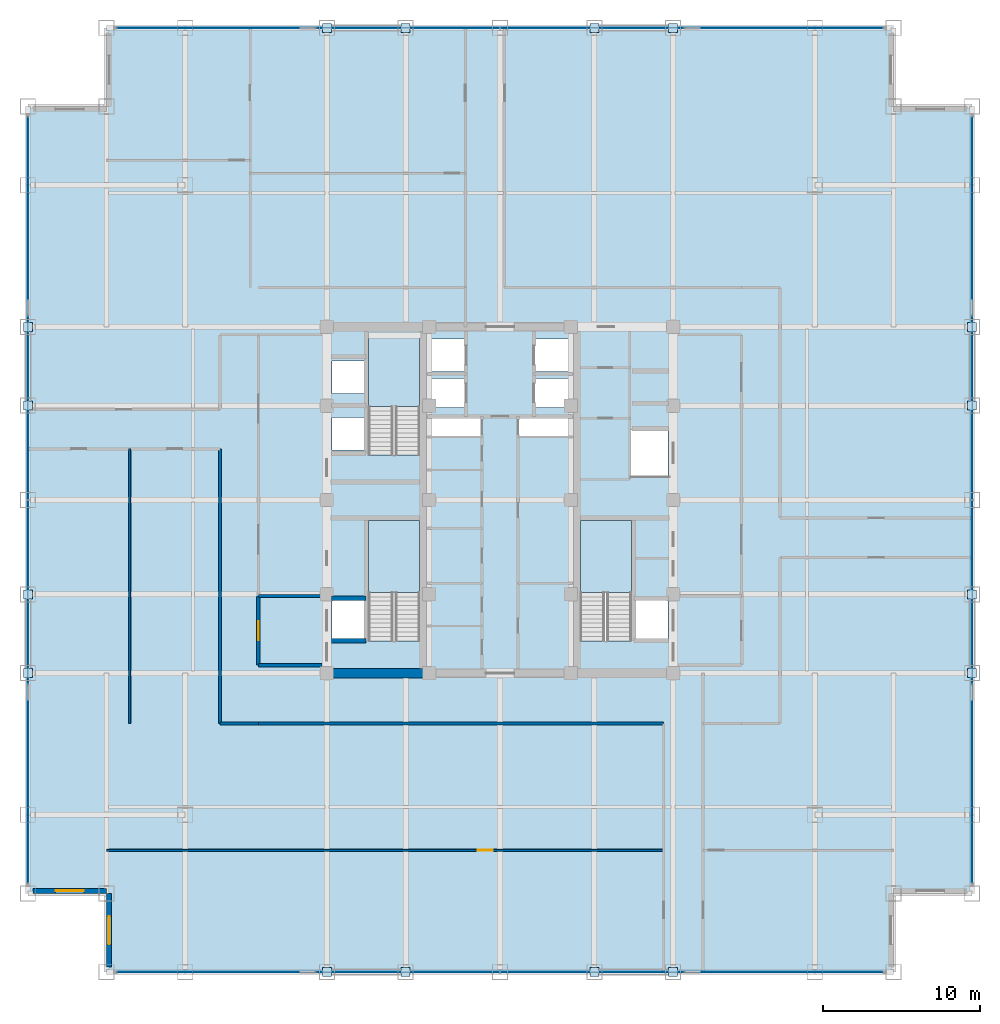
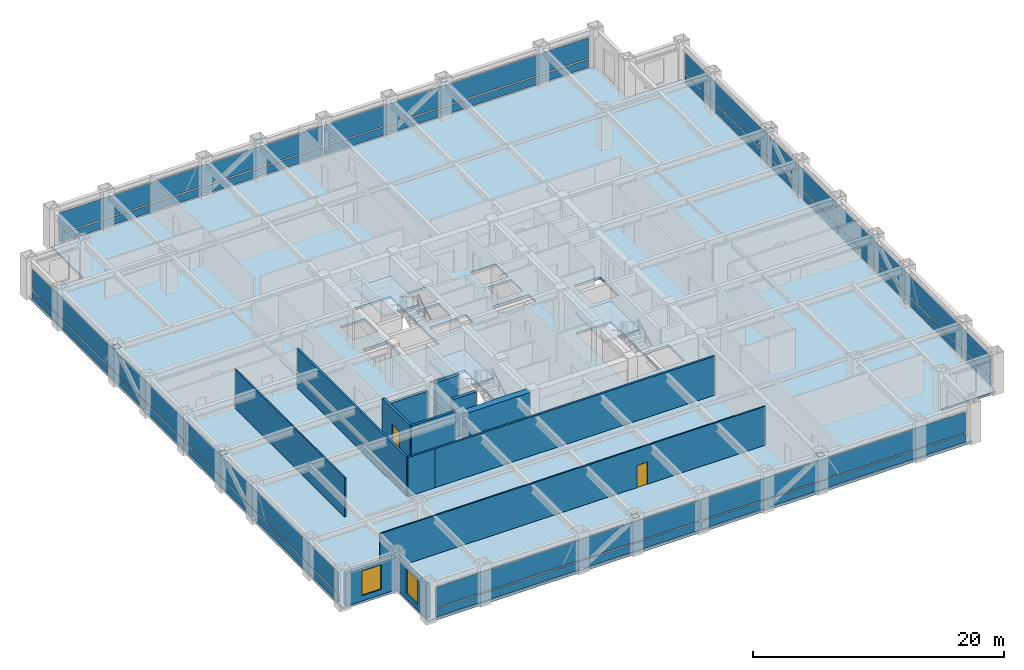
# One storey, part 19 of 24: 32 plates, 13 walls, 4 slabs, 2 doors, 2 windows, 4 openings, 7 elements without a shape of their own.
"""IFC4 building model written with IfcOpenShell, lengths in metres."""

from ifc_helpers import new_model, si_unit, direction, frame, frame_2d, origin, origin_2d, place, context, subcontext, project, spatial, polyline, rectangle, outline, extrude, source, transform, mapped, material, layer, layer_set, type_object, element, fill, aggregate, save


model = new_model("IFC4")

# Units and contexts
model_context = context("Model", 3, precision=1e-05, world=origin(), true_north=direction((0.0, 1.0)))
body_context = subcontext(model_context, "Body", "Model", "MODEL_VIEW")
ifc_project = project(units=[si_unit("LENGTHUNIT", "METRE"), si_unit("AREAUNIT", "SQUARE_METRE"), si_unit("VOLUMEUNIT", "CUBIC_METRE"), si_unit("PLANEANGLEUNIT", "RADIAN"), si_unit("MASSUNIT", "GRAM", prefix="KILO")], contexts=[model_context])

# Site, building, storey
site_placement = place(None, origin())
site = spatial("IfcSite", under=ifc_project, at=site_placement, CompositionType="ELEMENT")
building_placement = place(site_placement, origin())
building = spatial("IfcBuilding", under=site, at=building_placement, Name="Khorayat Bourse Tower", CompositionType="ELEMENT")
storey_placement = place(building_placement, frame((0.0, 0.0, 259.10009765625)))
storey = spatial("IfcBuildingStorey", under=building, at=storey_placement, Name="L61", CompositionType="ELEMENT", Elevation=259.10009765625)

# Stair, slab
ifc_material_1 = material(Name="Concrete C40/50", Category="concrete")
stair_type = type_object("IfcStairType", Name="STR-CORE-1550", PredefinedType="HALF_TURN_STAIR", material=ifc_material_1)
stair_1_placement = place(storey_placement, origin())
stair_1 = element("IfcStair", 1, at=stair_1_placement, inside=storey, type_object=stair_type, Name="L61 Exit Stair ST-1", PredefinedType="HALF_TURN_STAIR")
ifc_layer_1 = layer(ifc_material_1, 0.199951171875)
ifc_layer_set_1 = layer_set([ifc_layer_1], Name="Concrete C40/50")
slab_type_1 = type_object("IfcSlabType", Name="SLB-LANDING-200", PredefinedType="LANDING", material=ifc_layer_set_1)
slab_1_placement = place(storey_placement, frame((0.0, 0.0, 1.7998046875)))
slab_1 = element("IfcSlab", 2, at=slab_1_placement, type_object=slab_type_1, Name="ST-1 landing 1", PredefinedType="LANDING", context=body_context, shape_type="SweptSolid", body=[
    extrude(outline(polyline([(-5.10009765625, -5.8701171875), (-5.10009765625, -1.300048828125), (-8.35009765625, -1.300048828125), (-8.35009765625, -5.8701171875), (-5.10009765625, -5.8701171875)])), origin(), (0.0, 0.0, 1.0), 0.2001953125),
])
aggregate(stair_1, [slab_1])

stair_2_placement = place(storey_placement, origin())
stair_2 = element("IfcStair", 3, at=stair_2_placement, inside=storey, type_object=stair_type, Name="L61 Exit Stair ST-2", PredefinedType="HALF_TURN_STAIR")
slab_2_placement = place(storey_placement, frame((0.0, 0.0, 1.7998046875)))
slab_2 = element("IfcSlab", 4, at=slab_2_placement, type_object=slab_type_1, Name="ST-2 landing 1", PredefinedType="LANDING", context=body_context, shape_type="SweptSolid", body=[
    extrude(outline(polyline([(-5.10009765625, 5.929931640625), (-5.10009765625, 10.5), (-8.35009765625, 10.5), (-8.35009765625, 5.929931640625), (-5.10009765625, 5.929931640625)])), origin(), (0.0, 0.0, 1.0), 0.2001953125),
])
aggregate(stair_2, [slab_2])

stair_3_placement = place(storey_placement, origin())
stair_3 = element("IfcStair", 5, at=stair_3_placement, inside=storey, type_object=stair_type, Name="L61 Exit Stair ST-3", PredefinedType="HALF_TURN_STAIR")
slab_3_placement = place(storey_placement, frame((0.0, 0.0, 1.7998046875)))
slab_3 = element("IfcSlab", 6, at=slab_3_placement, type_object=slab_type_1, Name="ST-3 landing 1", PredefinedType="LANDING", context=body_context, shape_type="SweptSolid", body=[
    extrude(outline(polyline([(8.35009765625, -5.8701171875), (8.35009765625, -1.300048828125), (5.10009765625, -1.300048828125), (5.10009765625, -5.8701171875), (8.35009765625, -5.8701171875)])), origin(), (0.0, 0.0, 1.0), 0.2001953125),
])
aggregate(stair_3, [slab_3])

# Slab
ifc_layer_2 = layer(ifc_material_1, 0.219970703125)
ifc_layer_set_2 = layer_set([ifc_layer_2], Name="Concrete C40/50")
slab_type_2 = type_object("IfcSlabType", Name="SLB-OFFICE-220", PredefinedType="FLOOR", material=ifc_layer_set_2)
slab_4_placement = place(storey_placement, frame((0.0, 0.0, -0.22021484375)))
element("IfcSlab", 7, at=slab_4_placement, inside=storey, type_object=slab_type_2, Name="L61 Main Floor Slab", PredefinedType="FLOOR", context=body_context, shape_type="SweptSolid", body=[
    extrude(outline(polyline([(-25.0, -30.0), (25.0, -30.0), (25.0, -25.0), (30.0, -25.0), (30.0, 25.0), (25.0, 25.0), (25.0, 30.0), (-25.0, 30.0), (-25.0, 25.0), (-30.0, 25.0), (-30.0, -25.0), (-25.0, -25.0), (-25.0, -30.0)]), holes=[polyline([(-8.35009765625, -8.945068359375), (-5.10009765625, -8.945068359375), (-5.10009765625, -1.300048828125), (-8.35009765625, -1.300048828125), (-8.35009765625, -8.945068359375)]), polyline([(-8.35009765625, 2.85498046875), (-5.10009765625, 2.85498046875), (-5.10009765625, 10.5), (-8.35009765625, 10.5), (-8.35009765625, 2.85498046875)]), polyline([(5.10009765625, -8.945068359375), (8.35009765625, -8.945068359375), (8.35009765625, -1.300048828125), (5.10009765625, -1.300048828125), (5.10009765625, -8.945068359375)]), polyline([(-4.3798828125, 8.169921875), (-2.1201171875, 8.169921875), (-2.1201171875, 10.22998046875), (-4.3798828125, 10.22998046875), (-4.3798828125, 8.169921875)]), polyline([(2.1201171875, 8.169921875), (4.3798828125, 8.169921875), (4.3798828125, 10.22998046875), (2.1201171875, 10.22998046875), (2.1201171875, 8.169921875)]), polyline([(-4.3798828125, 5.8701171875), (-2.219970703125, 5.8701171875), (-2.219970703125, 7.72998046875), (-4.3798828125, 7.72998046875), (-4.3798828125, 5.8701171875)]), polyline([(2.219970703125, 5.8701171875), (4.3798828125, 5.8701171875), (4.3798828125, 7.72998046875), (2.219970703125, 7.72998046875), (2.219970703125, 5.8701171875)]), polyline([(-10.679931640625, 3.169921875), (-8.419921875, 3.169921875), (-8.419921875, 5.22998046875), (-10.679931640625, 5.22998046875), (-10.679931640625, 3.169921875)]), polyline([(-10.679931640625, 6.77001953125), (-8.419921875, 6.77001953125), (-8.419921875, 8.830078125), (-10.679931640625, 8.830078125), (-10.679931640625, 6.77001953125)]), polyline([(-10.679931640625, -8.929931640625), (-8.419921875, -8.929931640625), (-8.419921875, -6.3701171875), (-10.679931640625, -6.3701171875), (-10.679931640625, -8.929931640625)]), polyline([(8.419921875, -8.929931640625), (10.679931640625, -8.929931640625), (10.679931640625, -6.3701171875), (8.419921875, -6.3701171875), (8.419921875, -8.929931640625)]), polyline([(8.320068359375, 1.52001953125), (10.679931640625, 1.52001953125), (10.679931640625, 4.47998046875), (8.320068359375, 4.47998046875), (8.320068359375, 1.52001953125)]), polyline([(-4.56005859375, 4.080078125), (-1.18994140625, 4.080078125), (-1.18994140625, 5.219970703125), (-4.56005859375, 5.219970703125), (-4.56005859375, 4.080078125)]), polyline([(1.18994140625, 4.080078125), (4.56005859375, 4.080078125), (4.56005859375, 5.219970703125), (1.18994140625, 5.219970703125), (1.18994140625, 4.080078125)])]), origin(), (0.0, 0.0, 1.0), 0.22021484375),
])

# Plates
ifc_material_2 = material(Name="Steel EN 10025-2 S355J2", Category="steel")
ifc_layer_3 = layer(ifc_material_2, 0.02490234375)
ifc_layer_set_3 = layer_set([ifc_layer_3], Name="Steel EN 10025-2 S355J2")
plate_type_1 = type_object("IfcPlateType", Name="PLT-ENDCAP-25", PredefinedType="SHEET", material=ifc_layer_set_3)
shared_shape_1 = source(origin(), body_context, "Body", "SweptSolid", [
    extrude(rectangle(XDim=0.56005859375, YDim=0.56005859375, at=origin_2d()), origin(), (0.0, 0.0, 1.0), 0.02490234375),
])
for number, where, z_axis, x_axis, name in (
    (8, (-11.0, -30.0, 0.237548828125), (0.0, 0.0, 1.0), (1.0, 0.0, 0.0), "L61 Perimeter Brace End Plate 001"),
    (9, (-6.0, -30.0, 3.517333984375), (0.0, 0.0, 1.0), (1.0, 0.0, 0.0), "L61 Perimeter Brace End Plate 002"),
    (10, (6.0, -30.0, 0.237548828125), (0.0, 0.0, 1.0), (1.0, 0.0, 0.0), "L61 Perimeter Brace End Plate 003"),
    (11, (11.0, -30.0, 3.517333984375), (0.0, 0.0, 1.0), (1.0, 0.0, 0.0), "L61 Perimeter Brace End Plate 004"),
    (12, (-11.0, 30.0, 0.237548828125), (0.0, 0.0, 1.0), (1.0, 0.0, 0.0), "L61 Perimeter Brace End Plate 005"),
    (13, (-6.0, 30.0, 3.517333984375), (0.0, 0.0, 1.0), (1.0, 0.0, 0.0), "L61 Perimeter Brace End Plate 006"),
    (14, (6.0, 30.0, 0.237548828125), (0.0, 0.0, 1.0), (1.0, 0.0, 0.0), "L61 Perimeter Brace End Plate 007"),
    (15, (11.0, 30.0, 3.517333984375), (0.0, 0.0, 1.0), (1.0, 0.0, 0.0), "L61 Perimeter Brace End Plate 008"),
    (16, (-30.0, -11.0, 0.237548828125), (0.0, 0.0, 1.0), (1.0, 0.0, 0.0), "L61 Perimeter Brace End Plate 009"),
    (17, (-30.0, -6.0, 3.517333984375), (0.0, 0.0, 1.0), (1.0, 0.0, 0.0), "L61 Perimeter Brace End Plate 010"),
    (18, (-30.0, 6.0, 0.237548828125), (0.0, 0.0, 1.0), (1.0, 0.0, 0.0), "L61 Perimeter Brace End Plate 011"),
    (19, (-30.0, 11.0, 3.517333984375), (0.0, 0.0, 1.0), (1.0, 0.0, 0.0), "L61 Perimeter Brace End Plate 012"),
    (20, (30.0, -11.0, 0.237548828125), (0.0, 0.0, 1.0), (1.0, 0.0, 0.0), "L61 Perimeter Brace End Plate 013"),
    (21, (30.0, -6.0, 3.517333984375), (0.0, 0.0, 1.0), (1.0, 0.0, 0.0), "L61 Perimeter Brace End Plate 014"),
    (22, (30.0, 6.0, 0.237548828125), (0.0, 0.0, 1.0), (1.0, 0.0, 0.0), "L61 Perimeter Brace End Plate 015"),
    (23, (30.0, 11.0, 3.517333984375), (0.0, 0.0, 1.0), (1.0, 0.0, 0.0), "L61 Perimeter Brace End Plate 016"),
):
    element("IfcPlate", number, at=place(storey_placement, frame(where, z_axis=z_axis, x_axis=x_axis)), inside=storey, type_object=plate_type_1, Name=name, PredefinedType="SHEET", context=body_context, shape_type="MappedRepresentation", body=[
        mapped(shared_shape_1, transform((0.0, 0.0, 0.0), scale=1.0)),
    ])

# Curtain wall, plates
ifc_material_3 = material(Name="Aluminium EN AW-6063 T6", Category="aluminium")
curtain_wall_type = type_object("IfcCurtainWallType", Name="CW-SYS-03", PredefinedType="NOTDEFINED", material=ifc_material_3)
curtain_wall_1_placement = place(storey_placement, origin())
curtain_wall_1 = element("IfcCurtainWall", 24, at=curtain_wall_1_placement, inside=storey, type_object=curtain_wall_type, Name="L61 Curtain Wall CW-L61-S1", PredefinedType="NOTDEFINED")
ifc_material_4 = material(Name="Honed desert limestone insulated spandrel", Category="masonry")
ifc_layer_4 = layer(ifc_material_4, 0.06494140625)
ifc_layer_set_4 = layer_set([ifc_layer_4], Name="Honed desert limestone insulated spandrel")
plate_type_2 = type_object("IfcPlateType", Name="CWP-SPAND-03", PredefinedType="CURTAIN_PANEL", material=ifc_layer_set_4)
shared_shape_2 = source(origin(), body_context, "Body", "SweptSolid", [
    extrude(rectangle(XDim=24.27001953125, YDim=0.06494140625, at=origin_2d()), origin(), (0.0, 0.0, 1.0), 0.77001953125),
])
plate_1_placement = place(storey_placement, frame((-12.195068359375, -30.0, 0.119873046875), z_axis=(0.0, 0.0, 1.0), x_axis=(1.0, 0.0, 0.0)))
plate_1 = element("IfcPlate", 25, at=plate_1_placement, type_object=plate_type_2, Name="CW-L61-S1 Spandrel Panel 1-1", PredefinedType="CURTAIN_PANEL", context=body_context, shape_type="MappedRepresentation", body=[
    mapped(shared_shape_2, transform((0.0, 0.0, 0.0), scale=1.0)),
])
plate_2_placement = place(storey_placement, frame((12.195068359375, -30.0, 0.119873046875), z_axis=(0.0, 0.0, 1.0), x_axis=(1.0, 0.0, 0.0)))
plate_2 = element("IfcPlate", 26, at=plate_2_placement, type_object=plate_type_2, Name="CW-L61-S1 Spandrel Panel 2-1", PredefinedType="CURTAIN_PANEL", context=body_context, shape_type="MappedRepresentation", body=[
    mapped(shared_shape_2, transform((0.0, 0.0, 0.0), scale=1.0)),
])

curtain_wall_2_placement = place(storey_placement, origin())
curtain_wall_2 = element("IfcCurtainWall", 27, at=curtain_wall_2_placement, inside=storey, type_object=curtain_wall_type, Name="L61 Curtain Wall CW-L61-N1", PredefinedType="NOTDEFINED")
plate_3_placement = place(storey_placement, frame((-12.195068359375, 30.0, 0.119873046875), z_axis=(0.0, 0.0, 1.0), x_axis=(1.0, 0.0, 0.0)))
plate_3 = element("IfcPlate", 28, at=plate_3_placement, type_object=plate_type_2, Name="CW-L61-N1 Spandrel Panel 1-1", PredefinedType="CURTAIN_PANEL", context=body_context, shape_type="MappedRepresentation", body=[
    mapped(shared_shape_2, transform((0.0, 0.0, 0.0), scale=1.0)),
])
plate_4_placement = place(storey_placement, frame((12.195068359375, 30.0, 0.119873046875), z_axis=(0.0, 0.0, 1.0), x_axis=(1.0, 0.0, 0.0)))
plate_4 = element("IfcPlate", 29, at=plate_4_placement, type_object=plate_type_2, Name="CW-L61-N1 Spandrel Panel 2-1", PredefinedType="CURTAIN_PANEL", context=body_context, shape_type="MappedRepresentation", body=[
    mapped(shared_shape_2, transform((0.0, 0.0, 0.0), scale=1.0)),
])

curtain_wall_3_placement = place(storey_placement, origin())
curtain_wall_3 = element("IfcCurtainWall", 30, at=curtain_wall_3_placement, inside=storey, type_object=curtain_wall_type, Name="L61 Curtain Wall CW-L61-W1", PredefinedType="NOTDEFINED")
plate_5_placement = place(storey_placement, frame((-30.0, -12.195068359375, 0.119873046875), z_axis=(0.0, 0.0, 1.0), x_axis=(0.0, 1.0, 0.0)))
plate_5 = element("IfcPlate", 31, at=plate_5_placement, type_object=plate_type_2, Name="CW-L61-W1 Spandrel Panel 1-1", PredefinedType="CURTAIN_PANEL", context=body_context, shape_type="MappedRepresentation", body=[
    mapped(shared_shape_2, transform((0.0, 0.0, 0.0), scale=1.0)),
])
plate_6_placement = place(storey_placement, frame((-30.0, 12.195068359375, 0.119873046875), z_axis=(0.0, 0.0, 1.0), x_axis=(0.0, 1.0, 0.0)))
plate_6 = element("IfcPlate", 32, at=plate_6_placement, type_object=plate_type_2, Name="CW-L61-W1 Spandrel Panel 2-1", PredefinedType="CURTAIN_PANEL", context=body_context, shape_type="MappedRepresentation", body=[
    mapped(shared_shape_2, transform((0.0, 0.0, 0.0), scale=1.0)),
])

curtain_wall_4_placement = place(storey_placement, origin())
curtain_wall_4 = element("IfcCurtainWall", 33, at=curtain_wall_4_placement, inside=storey, type_object=curtain_wall_type, Name="L61 Curtain Wall CW-L61-E1", PredefinedType="NOTDEFINED")
plate_7_placement = place(storey_placement, frame((30.0, -12.195068359375, 0.119873046875), z_axis=(0.0, 0.0, 1.0), x_axis=(0.0, 1.0, 0.0)))
plate_7 = element("IfcPlate", 34, at=plate_7_placement, type_object=plate_type_2, Name="CW-L61-E1 Spandrel Panel 1-1", PredefinedType="CURTAIN_PANEL", context=body_context, shape_type="MappedRepresentation", body=[
    mapped(shared_shape_2, transform((0.0, 0.0, 0.0), scale=1.0)),
])
plate_8_placement = place(storey_placement, frame((30.0, 12.195068359375, 0.119873046875), z_axis=(0.0, 0.0, 1.0), x_axis=(0.0, 1.0, 0.0)))
plate_8 = element("IfcPlate", 35, at=plate_8_placement, type_object=plate_type_2, Name="CW-L61-E1 Spandrel Panel 2-1", PredefinedType="CURTAIN_PANEL", context=body_context, shape_type="MappedRepresentation", body=[
    mapped(shared_shape_2, transform((0.0, 0.0, 0.0), scale=1.0)),
])

# Plate
ifc_material_5 = material(Name="Low-E solar-control laminated double glazing", Category="glass")
ifc_layer_5 = layer(ifc_material_5, 0.035888671875)
ifc_layer_set_5 = layer_set([ifc_layer_5], Name="Low-E solar-control laminated double glazing")
plate_type_3 = type_object("IfcPlateType", Name="CWP-VIS-01", PredefinedType="CURTAIN_PANEL", material=ifc_layer_set_5)
shared_shape_3 = source(origin(), body_context, "Body", "SweptSolid", [
    extrude(rectangle(XDim=24.27001953125, YDim=0.035888671875, at=origin_2d()), origin(), (0.0, 0.0, 1.0), 2.0),
])
plate_9_placement = place(storey_placement, frame((-12.195068359375, -30.0, 1.010009765625), z_axis=(0.0, 0.0, 1.0), x_axis=(1.0, 0.0, 0.0)))
plate_9 = element("IfcPlate", 36, at=plate_9_placement, type_object=plate_type_3, Name="CW-L61-S1 Vision Panel 1-2", PredefinedType="CURTAIN_PANEL", context=body_context, shape_type="MappedRepresentation", body=[
    mapped(shared_shape_3, transform((0.0, 0.0, 0.0), scale=1.0)),
])

plate_10_placement = place(storey_placement, frame((12.195068359375, -30.0, 1.010009765625), z_axis=(0.0, 0.0, 1.0), x_axis=(1.0, 0.0, 0.0)))
plate_10 = element("IfcPlate", 37, at=plate_10_placement, type_object=plate_type_3, Name="CW-L61-S1 Vision Panel 2-2", PredefinedType="CURTAIN_PANEL", context=body_context, shape_type="MappedRepresentation", body=[
    mapped(shared_shape_3, transform((0.0, 0.0, 0.0), scale=1.0)),
])

aggregate(curtain_wall_1, [plate_1, plate_9, plate_2, plate_10])

plate_11_placement = place(storey_placement, frame((-12.195068359375, 30.0, 1.010009765625), z_axis=(0.0, 0.0, 1.0), x_axis=(1.0, 0.0, 0.0)))
plate_11 = element("IfcPlate", 38, at=plate_11_placement, type_object=plate_type_3, Name="CW-L61-N1 Vision Panel 1-2", PredefinedType="CURTAIN_PANEL", context=body_context, shape_type="MappedRepresentation", body=[
    mapped(shared_shape_3, transform((0.0, 0.0, 0.0), scale=1.0)),
])

plate_12_placement = place(storey_placement, frame((12.195068359375, 30.0, 1.010009765625), z_axis=(0.0, 0.0, 1.0), x_axis=(1.0, 0.0, 0.0)))
plate_12 = element("IfcPlate", 39, at=plate_12_placement, type_object=plate_type_3, Name="CW-L61-N1 Vision Panel 2-2", PredefinedType="CURTAIN_PANEL", context=body_context, shape_type="MappedRepresentation", body=[
    mapped(shared_shape_3, transform((0.0, 0.0, 0.0), scale=1.0)),
])

aggregate(curtain_wall_2, [plate_3, plate_11, plate_4, plate_12])

plate_13_placement = place(storey_placement, frame((-30.0, -12.195068359375, 1.010009765625), z_axis=(0.0, 0.0, 1.0), x_axis=(0.0, 1.0, 0.0)))
plate_13 = element("IfcPlate", 40, at=plate_13_placement, type_object=plate_type_3, Name="CW-L61-W1 Vision Panel 1-2", PredefinedType="CURTAIN_PANEL", context=body_context, shape_type="MappedRepresentation", body=[
    mapped(shared_shape_3, transform((0.0, 0.0, 0.0), scale=1.0)),
])

plate_14_placement = place(storey_placement, frame((-30.0, 12.195068359375, 1.010009765625), z_axis=(0.0, 0.0, 1.0), x_axis=(0.0, 1.0, 0.0)))
plate_14 = element("IfcPlate", 41, at=plate_14_placement, type_object=plate_type_3, Name="CW-L61-W1 Vision Panel 2-2", PredefinedType="CURTAIN_PANEL", context=body_context, shape_type="MappedRepresentation", body=[
    mapped(shared_shape_3, transform((0.0, 0.0, 0.0), scale=1.0)),
])

aggregate(curtain_wall_3, [plate_5, plate_13, plate_6, plate_14])

plate_15_placement = place(storey_placement, frame((30.0, -12.195068359375, 1.010009765625), z_axis=(0.0, 0.0, 1.0), x_axis=(0.0, 1.0, 0.0)))
plate_15 = element("IfcPlate", 42, at=plate_15_placement, type_object=plate_type_3, Name="CW-L61-E1 Vision Panel 1-2", PredefinedType="CURTAIN_PANEL", context=body_context, shape_type="MappedRepresentation", body=[
    mapped(shared_shape_3, transform((0.0, 0.0, 0.0), scale=1.0)),
])

plate_16_placement = place(storey_placement, frame((30.0, 12.195068359375, 1.010009765625), z_axis=(0.0, 0.0, 1.0), x_axis=(0.0, 1.0, 0.0)))
plate_16 = element("IfcPlate", 43, at=plate_16_placement, type_object=plate_type_3, Name="CW-L61-E1 Vision Panel 2-2", PredefinedType="CURTAIN_PANEL", context=body_context, shape_type="MappedRepresentation", body=[
    mapped(shared_shape_3, transform((0.0, 0.0, 0.0), scale=1.0)),
])

aggregate(curtain_wall_4, [plate_7, plate_15, plate_8, plate_16])

# Wall
ifc_material_6 = material(Name="Concrete C60/75", Category="concrete")
ifc_layer_6 = layer(ifc_material_6, 0.60009765625)
ifc_layer_set_6 = layer_set([ifc_layer_6], Name="Concrete C60/75")
wall_type_1 = type_object("IfcWallType", Name="WAL-CORE-600", PredefinedType="SHEAR", material=ifc_layer_set_6)
shared_shape_4 = source(origin(), body_context, "Body", "SweptSolid", [
    extrude(rectangle(XDim=5.89990234375, YDim=0.60009765625, at=frame_2d((2.949951171875, 0.0))), origin(), (0.0, 0.0, 1.0), 3.77978515625),
])
wall_1_placement = place(storey_placement, frame((-10.75, -11.0, 0.0), z_axis=(0.0, 0.0, 1.0), x_axis=(1.0, 0.0, 0.0)))
element("IfcWall", 44, at=wall_1_placement, inside=storey, type_object=wall_type_1, Name="L61 Core Shear Wall PIER-WS", PredefinedType="SHEAR", context=body_context, shape_type="MappedRepresentation", body=[
    mapped(shared_shape_4, transform((0.0, 0.0, 0.0), scale=1.0)),
])

# Wall, opening, window
ifc_material_7 = material(Name="Precast concrete C45/55", Category="concrete")
ifc_layer_7 = layer(ifc_material_7, 0.320068359375)
ifc_layer_set_7 = layer_set([ifc_layer_7], Name="Precast concrete C45/55")
wall_type_2 = type_object("IfcWallType", Name="WAL-EXT-STONE-320", PredefinedType="STANDARD", material=ifc_layer_set_7)
shared_shape_5 = source(origin(), body_context, "Body", "SweptSolid", [
    extrude(rectangle(XDim=4.679931640625, YDim=0.320068359375, at=frame_2d((2.33984375, 0.0))), origin(), (0.0, 0.0, 1.0), 3.163818359375),
])
wall_2_placement = place(storey_placement, frame((-25.0, -24.840087890625, 0.0), z_axis=(0.0, 0.0, 1.0), x_axis=(-1.0, 0.0, 0.0)))
wall_2 = element("IfcWall", 45, at=wall_2_placement, inside=storey, type_object=wall_type_2, Name="L61 Re-Entrant Notch Limestone Wall SW-H", PredefinedType="STANDARD", context=body_context, shape_type="MappedRepresentation", body=[
    mapped(shared_shape_5, transform((0.0, 0.0, 0.0), scale=1.0)),
])
shared_shape_6 = source(origin(), body_context, "Body", "SweptSolid", [
    extrude(rectangle(XDim=1.800048828125, YDim=2.39990234375, at=frame_2d((0.89990234375, 1.199951171875))), frame((0.0, 0.169921875, 0.0), z_axis=(0.0, -1.0, 0.0), x_axis=(1.0, 0.0, 0.0)), (0.0, 0.0, 1.0), 0.340087890625),
])
opening_1_placement = place(wall_2_placement, frame((1.43994140625, 0.0, 0.5)))
opening_1 = element("IfcOpeningElement", 46, at=opening_1_placement, cuts=wall_2, Name="Opening WN-04", PredefinedType="OPENING", context=body_context, shape_type="MappedRepresentation", body=[
    mapped(shared_shape_6, transform((0.0, 0.0, 0.0), scale=1.0)),
])
ifc_material_8 = material(Name="Low-E acoustic laminated double glazing", Category="glass")
window_type = type_object("IfcWindowType", Name="WIN-NOTCH-1800x2400", PartitioningType="SINGLE_PANEL", PredefinedType="WINDOW", material=ifc_material_8)
shared_shape_7 = source(origin(), body_context, "Body", "SweptSolid", [
    extrude(rectangle(XDim=1.800048828125, YDim=2.39990234375, at=frame_2d((0.89990234375, 1.199951171875))), frame((0.0, 0.030029296875, 0.0), z_axis=(0.0, -1.0, 0.0), x_axis=(1.0, 0.0, 0.0)), (0.0, 0.0, 1.0), 0.06005859375),
])
window_1_placement = place(opening_1_placement, origin())
window_1 = element("IfcWindow", 47, at=window_1_placement, inside=storey, type_object=window_type, Name="L61 Facade Window 1", OverallHeight=2.39990234375, OverallWidth=1.800048828125, PartitioningType="SINGLE_PANEL", PredefinedType="WINDOW", context=body_context, shape_type="MappedRepresentation", body=[
    mapped(shared_shape_7, transform((0.0, 0.0, 0.0), scale=1.0)),
])
fill(opening_1, window_1)

wall_3_placement = place(storey_placement, frame((-24.840087890625, -29.679931640625, 0.0), z_axis=(0.0, 0.0, 1.0), x_axis=(0.0, 1.0, 0.0)))
wall_3 = element("IfcWall", 48, at=wall_3_placement, inside=storey, type_object=wall_type_2, Name="L61 Re-Entrant Notch Limestone Wall SW-V", PredefinedType="STANDARD", context=body_context, shape_type="MappedRepresentation", body=[
    mapped(shared_shape_5, transform((0.0, 0.0, 0.0), scale=1.0)),
])
opening_2_placement = place(wall_3_placement, frame((1.43994140625, 0.0, 0.5)))
opening_2 = element("IfcOpeningElement", 49, at=opening_2_placement, cuts=wall_3, Name="Opening WN-04", PredefinedType="OPENING", context=body_context, shape_type="MappedRepresentation", body=[
    mapped(shared_shape_6, transform((0.0, 0.0, 0.0), scale=1.0)),
])
window_2_placement = place(opening_2_placement, origin())
window_2 = element("IfcWindow", 50, at=window_2_placement, inside=storey, type_object=window_type, Name="L61 Facade Window 1", OverallHeight=2.39990234375, OverallWidth=1.800048828125, PartitioningType="SINGLE_PANEL", PredefinedType="WINDOW", context=body_context, shape_type="MappedRepresentation", body=[
    mapped(shared_shape_7, transform((0.0, 0.0, 0.0), scale=1.0)),
])
fill(opening_2, window_2)

# Walls
ifc_material_9 = material(Name="Aerated concrete blockwork", Category="masonry")
ifc_layer_8 = layer(ifc_material_9, 0.219970703125)
ifc_layer_set_8 = layer_set([ifc_layer_8], Name="Aerated concrete blockwork")
wall_type_3 = type_object("IfcWallType", Name="WAL-PART-FF-220", PredefinedType="PARTITIONING", material=ifc_layer_set_8)
shared_shape_8 = source(origin(), body_context, "Body", "SweptSolid", [
    extrude(rectangle(XDim=4.050048828125, YDim=0.219970703125, at=frame_2d((2.02490234375, 0.0))), origin(), (0.0, 0.0, 1.0), 3.0849609375),
])
wall_4_placement = place(storey_placement, frame((-15.35009765625, -6.10009765625, 0.0), z_axis=(0.0, 0.0, 1.0), x_axis=(1.0, 0.0, 0.0)))
element("IfcWall", 51, at=wall_4_placement, inside=storey, type_object=wall_type_3, Name="L61 Partition WAL-L61-FFLW-N", PredefinedType="PARTITIONING", context=body_context, shape_type="MappedRepresentation", body=[
    mapped(shared_shape_8, transform((0.0, 0.0, 0.0), scale=1.0)),
])
ifc_material_10 = material(Name="Concrete C50/60", Category="concrete")
ifc_layer_9 = layer(ifc_material_10, 0.300048828125)
ifc_layer_set_9 = layer_set([ifc_layer_9], Name="Concrete C50/60")
wall_type_4 = type_object("IfcWallType", Name="WAL-SHAFT-300", PredefinedType="SHEAR", material=ifc_layer_set_9)
shared_shape_9 = source(origin(), body_context, "Body", "SweptSolid", [
    extrude(rectangle(XDim=2.199951171875, YDim=0.300048828125, at=frame_2d((1.10009765625, 0.0))), origin(), (0.0, 0.0, 1.0), 3.77978515625),
])
for number, where, z_axis, x_axis, name in (
    (52, (-10.699951171875, -8.949951171875, 0.0), (0.0, 0.0, 1.0), (1.0, 0.0, 0.0), "L61 Partition WAL-L61-WPIER-FF1S"),
    (53, (-10.699951171875, -6.25, 0.0), (0.0, 0.0, 1.0), (1.0, 0.0, 0.0), "L61 Partition WAL-L61-WPIER-FF1N"),
):
    element("IfcWall", number, at=place(storey_placement, frame(where, z_axis=z_axis, x_axis=x_axis)), inside=storey, type_object=wall_type_4, Name=name, PredefinedType="SHEAR", context=body_context, shape_type="MappedRepresentation", body=[
        mapped(shared_shape_9, transform((0.0, 0.0, 0.0), scale=1.0)),
    ])
shared_shape_10 = source(origin(), body_context, "Body", "SweptSolid", [
    extrude(rectangle(XDim=4.050048828125, YDim=0.219970703125, at=frame_2d((2.02490234375, 0.0))), origin(), (0.0, 0.0, 1.0), 3.77978515625),
])
wall_5_placement = place(storey_placement, frame((-15.35009765625, -10.5, 0.0), z_axis=(0.0, 0.0, 1.0), x_axis=(1.0, 0.0, 0.0)))
element("IfcWall", 54, at=wall_5_placement, inside=storey, type_object=wall_type_3, Name="L61 Partition WAL-L61-FFLW-S", PredefinedType="PARTITIONING", context=body_context, shape_type="MappedRepresentation", body=[
    mapped(shared_shape_10, transform((0.0, 0.0, 0.0), scale=1.0)),
])

# Wall, opening, door
shared_shape_11 = source(origin(), body_context, "Body", "SweptSolid", [
    extrude(rectangle(XDim=4.39990234375, YDim=0.219970703125, at=frame_2d((2.199951171875, 0.0))), origin(), (0.0, 0.0, 1.0), 3.77978515625),
])
wall_6_placement = place(storey_placement, frame((-15.35009765625, -10.5, 0.0), z_axis=(0.0, 0.0, 1.0), x_axis=(0.0, 1.0, 0.0)))
wall_6 = element("IfcWall", 55, at=wall_6_placement, inside=storey, type_object=wall_type_3, Name="L61 Partition WAL-L61-FFLW-W", PredefinedType="PARTITIONING", context=body_context, shape_type="MappedRepresentation", body=[
    mapped(shared_shape_11, transform((0.0, 0.0, 0.0), scale=1.0)),
])
shared_shape_12 = source(origin(), body_context, "Body", "SweptSolid", [
    extrude(rectangle(XDim=1.199951171875, YDim=2.199951171875, at=frame_2d((0.60009765625, 1.10009765625))), frame((0.0, 0.119873046875, 0.0), z_axis=(0.0, -1.0, 0.0), x_axis=(1.0, 0.0, 0.0)), (0.0, 0.0, 1.0), 0.239990234375),
])
opening_3_placement = place(wall_6_placement, frame((1.60009765625, 0.0, 0.0)))
opening_3 = element("IfcOpeningElement", 56, at=opening_3_placement, cuts=wall_6, Name="Opening DI-02", PredefinedType="OPENING", context=body_context, shape_type="MappedRepresentation", body=[
    mapped(shared_shape_12, transform((0.0, 0.0, 0.0), scale=1.0)),
])
ifc_material_11 = material(Name="Fire-rated steel double-seal leaf", Category="steel")
door_type_1 = type_object("IfcDoorType", Name="DR-INT-FFLOBBY-1200", OperationType="NOTDEFINED", PredefinedType="DOOR", material=ifc_material_11)
shared_shape_13 = source(origin(), body_context, "Body", "SweptSolid", [
    extrude(rectangle(XDim=1.199951171875, YDim=2.199951171875, at=frame_2d((0.60009765625, 1.10009765625))), frame((0.0, 0.02490234375, 0.0), z_axis=(0.0, -1.0, 0.0), x_axis=(1.0, 0.0, 0.0)), (0.0, 0.0, 1.0), 0.050048828125),
])
door_1_placement = place(opening_3_placement, origin())
door_1 = element("IfcDoor", 57, at=door_1_placement, inside=storey, type_object=door_type_1, Name="L61 West Firefighting Lobby Door", OperationType="SINGLE_SWING_LEFT", OverallHeight=2.199951171875, OverallWidth=1.199951171875, PredefinedType="DOOR", context=body_context, shape_type="MappedRepresentation", body=[
    mapped(shared_shape_13, transform((0.0, 0.0, 0.0), scale=1.0)),
])
fill(opening_3, door_1)

# Walls
ifc_material_12 = material(Name="Gypsum plasterboard acoustic stud wall")
ifc_layer_10 = layer(ifc_material_12, 0.179931640625)
ifc_layer_set_10 = layer_set([ifc_layer_10], Name="Gypsum plasterboard acoustic stud wall")
wall_type_5 = type_object("IfcWallType", Name="WAL-PART-CORR-180", PredefinedType="PARTITIONING", material=ifc_layer_set_10)
shared_shape_14 = source(origin(), body_context, "Body", "SweptSolid", [
    extrude(rectangle(XDim=2.449951171875, YDim=0.179931640625, at=frame_2d((1.22509765625, 0.0))), origin(), (0.0, 0.0, 1.0), 3.77978515625),
])
wall_7_placement = place(storey_placement, frame((-17.800048828125, -14.199951171875, 0.0), z_axis=(0.0, 0.0, 1.0), x_axis=(1.0, 0.0, 0.0)))
element("IfcWall", 58, at=wall_7_placement, inside=storey, type_object=wall_type_5, Name="L61 Partition WAL-L61-C2-WS", PredefinedType="PARTITIONING", context=body_context, shape_type="MappedRepresentation", body=[
    mapped(shared_shape_14, transform((0.0, 0.0, 0.0), scale=1.0)),
])
shared_shape_15 = source(origin(), body_context, "Body", "SweptSolid", [
    extrude(rectangle(XDim=25.75, YDim=0.179931640625, at=frame_2d((12.875, 0.0))), origin(), (0.0, 0.0, 1.0), 3.77978515625),
])
wall_8_placement = place(storey_placement, frame((-15.35009765625, -14.199951171875, 0.0), z_axis=(0.0, 0.0, 1.0), x_axis=(1.0, 0.0, 0.0)))
element("IfcWall", 59, at=wall_8_placement, inside=storey, type_object=wall_type_5, Name="L61 Partition WAL-L61-QSW-HC", PredefinedType="PARTITIONING", context=body_context, shape_type="MappedRepresentation", body=[
    mapped(shared_shape_15, transform((0.0, 0.0, 0.0), scale=1.0)),
])

# Wall, opening, door
ifc_material_13 = material(Name="Gypsum plasterboard partition")
ifc_layer_11 = layer(ifc_material_13, 0.125)
ifc_layer_set_11 = layer_set([ifc_layer_11], Name="Gypsum plasterboard partition")
wall_type_6 = type_object("IfcWallType", Name="WAL-PART-ROOM-125", PredefinedType="PARTITIONING", material=ifc_layer_set_11)
shared_shape_16 = source(origin(), body_context, "Body", "SweptSolid", [
    extrude(rectangle(XDim=35.39990234375, YDim=0.125, at=frame_2d((17.699951171875, 0.0))), origin(), (0.0, 0.0, 1.0), 3.77978515625),
])
wall_9_placement = place(storey_placement, frame((-25.0, -22.258056640625, 0.0), z_axis=(0.0, 0.0, 1.0), x_axis=(1.0, 0.0, 0.0)))
wall_9 = element("IfcWall", 60, at=wall_9_placement, inside=storey, type_object=wall_type_6, Name="L61 Partition WAL-L61-QSWDP-1", PredefinedType="PARTITIONING", context=body_context, shape_type="MappedRepresentation", body=[
    mapped(shared_shape_16, transform((0.0, 0.0, 0.0), scale=1.0)),
])
shared_shape_17 = source(origin(), body_context, "Body", "SweptSolid", [
    extrude(rectangle(XDim=0.949951171875, YDim=2.14990234375, at=frame_2d((0.47509765625, 1.074951171875))), frame((0.0, 0.072509765625, 0.0), z_axis=(0.0, -1.0, 0.0), x_axis=(1.0, 0.0, 0.0)), (0.0, 0.0, 1.0), 0.14501953125),
])
opening_4_placement = place(wall_9_placement, frame((23.596923828125, 0.0, 0.0)))
opening_4 = element("IfcOpeningElement", 61, at=opening_4_placement, cuts=wall_9, Name="Opening DI-05", PredefinedType="OPENING", context=body_context, shape_type="MappedRepresentation", body=[
    mapped(shared_shape_17, transform((0.0, 0.0, 0.0), scale=1.0)),
])
ifc_material_14 = material(Name="Acoustic oak veneer office door")
door_type_2 = type_object("IfcDoorType", Name="DR-INT-OFFICE-950", OperationType="NOTDEFINED", PredefinedType="DOOR", material=ifc_material_14)
shared_shape_18 = source(origin(), body_context, "Body", "SweptSolid", [
    extrude(rectangle(XDim=0.949951171875, YDim=2.14990234375, at=frame_2d((0.47509765625, 1.074951171875))), frame((0.0, 0.02490234375, 0.0), z_axis=(0.0, -1.0, 0.0), x_axis=(1.0, 0.0, 0.0)), (0.0, 0.0, 1.0), 0.050048828125),
])
door_2_placement = place(opening_4_placement, origin())
door_2 = element("IfcDoor", 62, at=door_2_placement, inside=storey, type_object=door_type_2, Name="L61 South-West Members Dining Room 1B Door", OperationType="SINGLE_SWING_RIGHT", OverallHeight=2.14990234375, OverallWidth=0.949951171875, PredefinedType="DOOR", context=body_context, shape_type="MappedRepresentation", body=[
    mapped(shared_shape_18, transform((0.0, 0.0, 0.0), scale=1.0)),
])
fill(opening_4, door_2)

# Walls
shared_shape_19 = source(origin(), body_context, "Body", "SweptSolid", [
    extrude(rectangle(XDim=17.449951171875, YDim=0.125, at=frame_2d((8.72509765625, 0.0))), origin(), (0.0, 0.0, 1.0), 3.77978515625),
])
wall_10_placement = place(storey_placement, frame((-23.533935546875, -14.199951171875, 0.0), z_axis=(0.0, 0.0, 1.0), x_axis=(0.0, 1.0, 0.0)))
element("IfcWall", 63, at=wall_10_placement, inside=storey, type_object=wall_type_6, Name="L61 Partition WAL-L61-WS-DV", PredefinedType="PARTITIONING", context=body_context, shape_type="MappedRepresentation", body=[
    mapped(shared_shape_19, transform((0.0, 0.0, 0.0), scale=1.0)),
])
shared_shape_20 = source(origin(), body_context, "Body", "SweptSolid", [
    extrude(rectangle(XDim=17.449951171875, YDim=0.179931640625, at=frame_2d((8.72509765625, 0.0))), origin(), (0.0, 0.0, 1.0), 3.77978515625),
])
wall_11_placement = place(storey_placement, frame((-17.800048828125, -14.199951171875, 0.0), z_axis=(0.0, 0.0, 1.0), x_axis=(0.0, 1.0, 0.0)))
element("IfcWall", 64, at=wall_11_placement, inside=storey, type_object=wall_type_5, Name="L61 Partition WAL-L61-WS-IN", PredefinedType="PARTITIONING", context=body_context, shape_type="MappedRepresentation", body=[
    mapped(shared_shape_20, transform((0.0, 0.0, 0.0), scale=1.0)),
])

save(model, "model.ifc")
